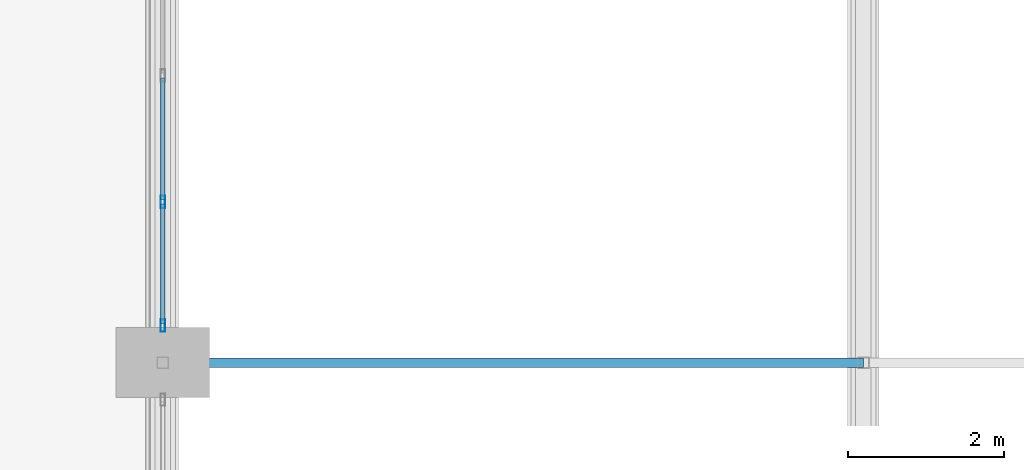
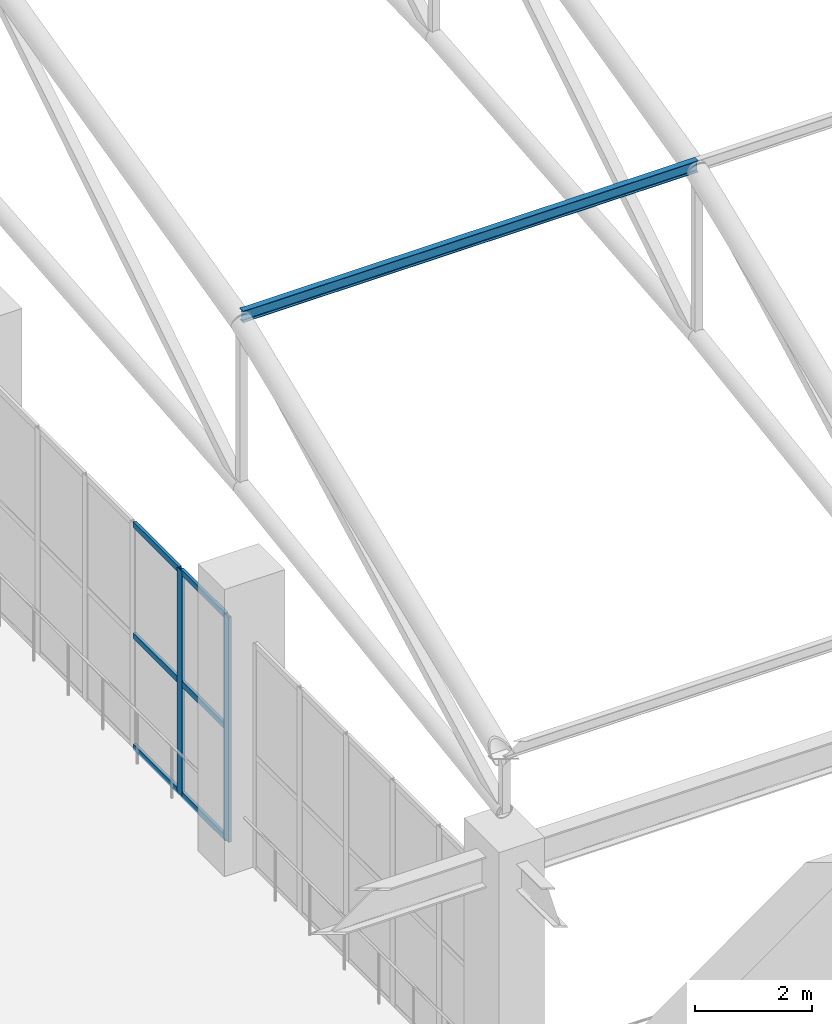
# One storey, part 34 of 223: 9 members, 1 element without a shape of its own.
"""IFC4 building model written with IfcOpenShell, lengths in metres."""

from ifc_helpers import new_model, si_unit, direction, frame, origin, origin_2d, place, context, subcontext, project, spatial, hollow_rectangle, i_section, extrude, material, layer, layer_set, material_profile, profile_set, type_object, element, aggregate, save


model = new_model("IFC4")

# Units and contexts
model_context = context("Model", 3, precision=1e-05, world=origin(), true_north=direction((0.0, 1.0)))
body_context = subcontext(model_context, "Body", "Model", "MODEL_VIEW")
ifc_project = project(units=[si_unit("LENGTHUNIT", "METRE"), si_unit("AREAUNIT", "SQUARE_METRE"), si_unit("VOLUMEUNIT", "CUBIC_METRE"), si_unit("PLANEANGLEUNIT", "RADIAN"), si_unit("MASSUNIT", "GRAM", prefix="KILO")], contexts=[model_context])

# Site, building, storey
site_placement = place(None, origin())
site = spatial("IfcSite", under=ifc_project, at=site_placement, CompositionType="ELEMENT")
building_placement = place(site_placement, origin())
building = spatial("IfcBuilding", under=site, at=building_placement, Name="Dornveld Trade and Exhibition Forum", CompositionType="ELEMENT")
storey_placement = place(building_placement, frame((0.0, 0.0, 6.0)))
storey = spatial("IfcBuildingStorey", under=building, at=storey_placement, Name="L01", CompositionType="ELEMENT", Elevation=6.0)

# Curtain wall, members
ifc_material_1 = material(Name="Dark-bronze anodised aluminium and low-E glass", Category="aluminium")
ifc_layer = layer(ifc_material_1, 0.172119140625)
ifc_layer_set = layer_set([ifc_layer], Name="Dark-bronze anodised aluminium and low-E glass")
curtain_wall_type = type_object("IfcCurtainWallType", Name="CW-SYS-10", PredefinedType="USERDEFINED", material=ifc_layer_set)
curtain_wall_placement = place(storey_placement, origin())
curtain_wall = element("IfcCurtainWall", 1, at=curtain_wall_placement, inside=storey, type_object=curtain_wall_type, Name="L01 unitised curtain wall 10", ObjectType="UNITISED_CURTAIN_WALL", PredefinedType="USERDEFINED")
ifc_material_2 = material(Name="Dark-bronze anodised aluminium", Category="aluminium")
ifc_material_profile_1 = material_profile(ifc_material_2, hollow_rectangle(XDim=0.06005859375, YDim=0.159912109375, WallThickness=0.00390625, at=origin_2d()), Name="RHS 160x60x4")
ifc_profile_set_1 = profile_set([ifc_material_profile_1], Name="Dark-bronze anodised aluminium")
member_type_1 = type_object("IfcMemberType", Name="CW-MUL-160", PredefinedType="MULLION", material=ifc_profile_set_1)
member_1_placement = place(storey_placement, frame((99.0, 119.067626953125, -0.00390625), z_axis=(0.0, 0.0, 1.0), x_axis=(1.0, 0.0, 0.0)))
member_1 = element("IfcMember", 2, at=member_1_placement, type_object=member_type_1, Name="CW-10 mullion 5", PredefinedType="MULLION", context=body_context, shape_type="SweptSolid", body=[
    extrude(hollow_rectangle(XDim=0.06005859375, YDim=0.159912109375, WallThickness=0.00390625, at=origin_2d()), origin(), (0.0, 0.0, 1.0), 4.703857421875),
])
member_2_placement = place(storey_placement, frame((99.0, 117.47607421875, -0.00390625), z_axis=(0.0, 0.0, 1.0), x_axis=(1.0, 0.0, 0.0)))
member_2 = element("IfcMember", 3, at=member_2_placement, type_object=member_type_1, Name="CW-10 mullion 6", PredefinedType="MULLION", context=body_context, shape_type="SweptSolid", body=[
    extrude(hollow_rectangle(XDim=0.06005859375, YDim=0.159912109375, WallThickness=0.00390625, at=origin_2d()), origin(), (0.0, 0.0, 1.0), 4.703857421875),
])
ifc_material_3 = material(Name="Dark-bronze anodised aluminium", Category="aluminium")
ifc_material_profile_2 = material_profile(ifc_material_3, hollow_rectangle(XDim=0.06005859375, YDim=0.1201171875, WallThickness=0.00390625, at=origin_2d()), Name="RHS 120x60x4")
ifc_profile_set_2 = profile_set([ifc_material_profile_2], Name="Dark-bronze anodised aluminium")
member_type_2 = type_object("IfcMemberType", Name="CW-TRN-120", PredefinedType="USERDEFINED", material=ifc_profile_set_2)
member_3_placement = place(storey_placement, frame((99.0, 120.6591796875, 0.02587890625), z_axis=(0.0, -1.0, 0.0), x_axis=(1.0, 0.0, 0.0)))
member_3 = element("IfcMember", 4, at=member_3_placement, type_object=member_type_2, Name="CW-10 transom 4.1", ObjectType="TRANSOM", PredefinedType="USERDEFINED", context=body_context, shape_type="SweptSolid", body=[
    extrude(hollow_rectangle(XDim=0.06005859375, YDim=0.1201171875, WallThickness=0.00390625, at=origin_2d()), origin(), (0.0, 0.0, 1.0), 1.5615234375),
])
member_4_placement = place(storey_placement, frame((99.0, 120.6591796875, 2.347900390625), z_axis=(0.0, -1.0, 0.0), x_axis=(1.0, 0.0, 0.0)))
member_4 = element("IfcMember", 5, at=member_4_placement, type_object=member_type_2, Name="CW-10 transom 4.2", ObjectType="TRANSOM", PredefinedType="USERDEFINED", context=body_context, shape_type="SweptSolid", body=[
    extrude(hollow_rectangle(XDim=0.06005859375, YDim=0.1201171875, WallThickness=0.00390625, at=origin_2d()), origin(), (0.0, 0.0, 1.0), 1.5615234375),
])
member_5_placement = place(storey_placement, frame((99.0, 120.6591796875, 4.669921875), z_axis=(0.0, -1.0, 0.0), x_axis=(1.0, 0.0, 0.0)))
member_5 = element("IfcMember", 6, at=member_5_placement, type_object=member_type_2, Name="CW-10 transom 4.3", ObjectType="TRANSOM", PredefinedType="USERDEFINED", context=body_context, shape_type="SweptSolid", body=[
    extrude(hollow_rectangle(XDim=0.06005859375, YDim=0.1201171875, WallThickness=0.00390625, at=origin_2d()), origin(), (0.0, 0.0, 1.0), 1.5615234375),
])
member_6_placement = place(storey_placement, frame((99.0, 119.03759765625, 0.02587890625), z_axis=(0.0, -1.0, 0.0), x_axis=(1.0, 0.0, 0.0)))
member_6 = element("IfcMember", 7, at=member_6_placement, type_object=member_type_2, Name="CW-10 transom 5.1", ObjectType="TRANSOM", PredefinedType="USERDEFINED", context=body_context, shape_type="SweptSolid", body=[
    extrude(hollow_rectangle(XDim=0.06005859375, YDim=0.1201171875, WallThickness=0.00390625, at=origin_2d()), origin(), (0.0, 0.0, 1.0), 1.531494140625),
])
member_7_placement = place(storey_placement, frame((99.0, 119.03759765625, 2.347900390625), z_axis=(0.0, -1.0, 0.0), x_axis=(1.0, 0.0, 0.0)))
member_7 = element("IfcMember", 8, at=member_7_placement, type_object=member_type_2, Name="CW-10 transom 5.2", ObjectType="TRANSOM", PredefinedType="USERDEFINED", context=body_context, shape_type="SweptSolid", body=[
    extrude(hollow_rectangle(XDim=0.06005859375, YDim=0.1201171875, WallThickness=0.00390625, at=origin_2d()), origin(), (0.0, 0.0, 1.0), 1.531494140625),
])
member_8_placement = place(storey_placement, frame((99.0, 119.03759765625, 4.669921875), z_axis=(0.0, -1.0, 0.0), x_axis=(1.0, 0.0, 0.0)))
member_8 = element("IfcMember", 9, at=member_8_placement, type_object=member_type_2, Name="CW-10 transom 5.3", ObjectType="TRANSOM", PredefinedType="USERDEFINED", context=body_context, shape_type="SweptSolid", body=[
    extrude(hollow_rectangle(XDim=0.06005859375, YDim=0.1201171875, WallThickness=0.00390625, at=origin_2d()), origin(), (0.0, 0.0, 1.0), 1.531494140625),
])
aggregate(curtain_wall, [member_1, member_2, member_3, member_4, member_5, member_6, member_7, member_8])

# Member
ifc_material_4 = material(Name="Steel S355J2", Category="steel")
ifc_material_profile_3 = material_profile(ifc_material_4, i_section(OverallWidth=0.1201171875, OverallDepth=0.239990234375, WebThickness=0.006103515625, FlangeThickness=0.009765625, FilletRadius=0.014892578125, at=origin_2d()), Name="IPE 240")
ifc_profile_set_3 = profile_set([ifc_material_profile_3], Name="Steel S355J2")
member_type_3 = type_object("IfcMemberType", Name="MEM-PURLIN-240", PredefinedType="PURLIN", material=ifc_profile_set_3)
member_9_placement = place(storey_placement, frame((99.0, 117.0, 11.248779296875), z_axis=(1.0, 0.0, 0.0), x_axis=(0.0, 1.0, 0.0)))
element("IfcMember", 10, at=member_9_placement, inside=storey, type_object=member_type_3, Name="H1 bay 1 roof purlin 2", PredefinedType="PURLIN", context=body_context, shape_type="SweptSolid", body=[
    extrude(i_section(OverallWidth=0.1201171875, OverallDepth=0.239990234375, WebThickness=0.006103515625, FlangeThickness=0.009765625, FilletRadius=0.014892578125, at=origin_2d()), origin(), (0.0, 0.0, 1.0), 9.0),
])

save(model, "model.ifc")
